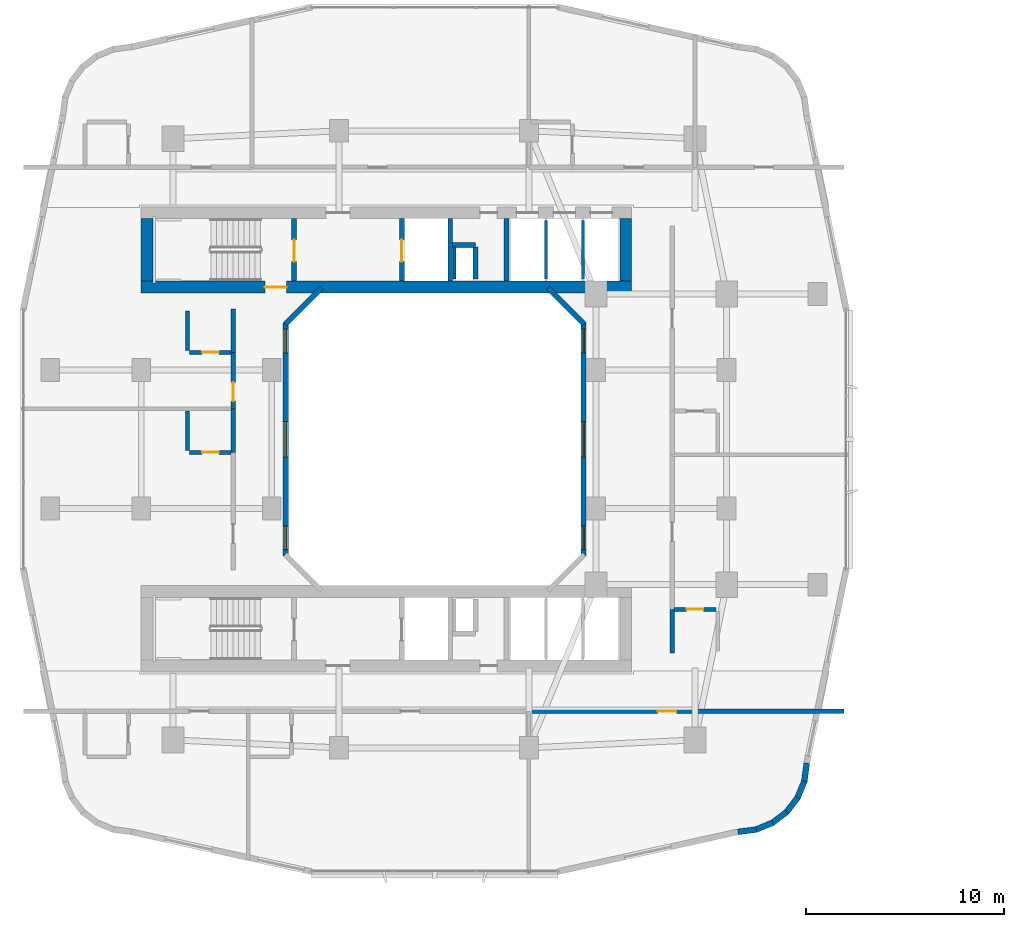
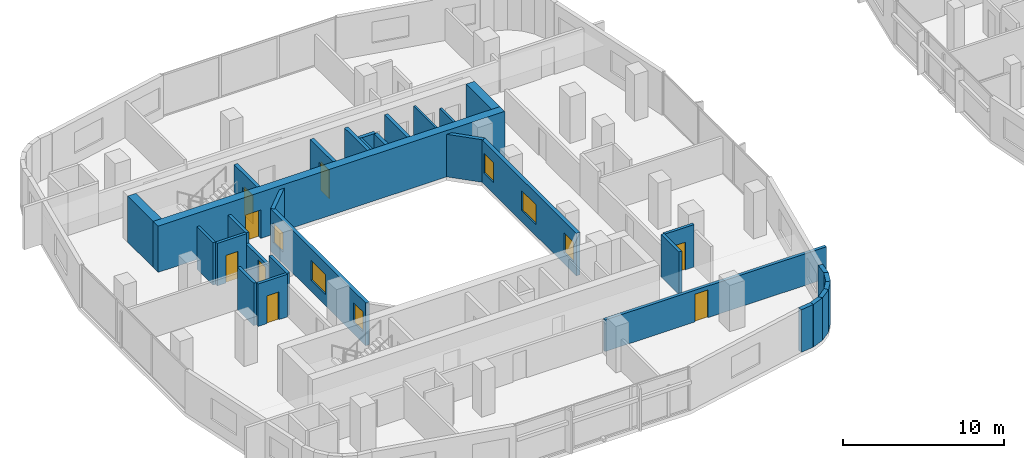
# One storey, part 14 of 26: 32 walls, 8 doors, 6 windows, 14 openings.
"""IFC4 building model written with IfcOpenShell, lengths in metres."""

from ifc_helpers import new_model, si_unit, derived_unit, direction, frame, frame_2d, origin, place, context, subcontext, project, spatial, rectangle, extrude, material, layer, layer_set, type_object, element, fill, save


model = new_model("IFC4")

# Units and contexts
model_context = context("Model", 3, precision=1e-05, world=origin(), true_north=direction((0.0, 1.0)))
body_context = subcontext(model_context, "Body", "Model", "MODEL_VIEW")
ifc_project = project(units=[si_unit("LENGTHUNIT", "METRE"), si_unit("AREAUNIT", "SQUARE_METRE"), si_unit("VOLUMEUNIT", "CUBIC_METRE"), si_unit("PLANEANGLEUNIT", "RADIAN"), si_unit("MASSUNIT", "GRAM", prefix="KILO"), derived_unit("THERMALTRANSMITTANCEUNIT", [(si_unit("POWERUNIT", "WATT"), 1), (si_unit("LENGTHUNIT", "METRE"), -2), (si_unit("THERMODYNAMICTEMPERATUREUNIT", "KELVIN"), -1)])], contexts=[model_context])

# Site, building, storey
site_placement = place(None, origin())
site = spatial("IfcSite", under=ifc_project, at=site_placement, CompositionType="ELEMENT")
building_placement = place(site_placement, origin())
building = spatial("IfcBuilding", under=site, at=building_placement, Name="Kivonza Crest Hotel", CompositionType="ELEMENT")
storey_placement = place(building_placement, frame((0.0, 0.0, 45.0)))
storey = spatial("IfcBuildingStorey", under=building, at=storey_placement, Name="L11", CompositionType="ELEMENT", Elevation=45.0)

# Wall, opening, door
ifc_material_1 = material(Name="Autoclaved aerated concrete blockwork", Category="masonry")
ifc_layer_1 = layer(ifc_material_1, 0.219970703125)
ifc_layer_set_1 = layer_set([ifc_layer_1], Name="Autoclaved aerated concrete blockwork")
wall_type_1 = type_object("IfcWallType", Name="WL-ACOU-220", PredefinedType="SOLIDWALL", material=ifc_layer_set_1)
wall_1_placement = place(storey_placement, frame((25.89990234375, 11.25, 0.0), z_axis=(0.0, 0.0, 1.0), x_axis=(1.0, 0.0, 0.0)))
wall_1 = element("IfcWall", 1, at=wall_1_placement, inside=storey, type_object=wall_type_1, Name="L11 interior partition WA-L11-BUS-MTG-N", PredefinedType="SOLIDWALL", context=body_context, shape_type="SweptSolid", body=[
    extrude(rectangle(XDim=15.840087890625, YDim=0.219970703125, at=frame_2d((7.919921875, 0.0))), origin(), (0.0, 0.0, 1.0), 2.39501953125),
])
opening_1_placement = place(wall_1_placement, frame((6.410888671875, 0.0, 0.0)))
opening_1 = element("IfcOpeningElement", 2, at=opening_1_placement, cuts=wall_1, Name="Opening DF-60S", PredefinedType="OPENING", context=body_context, shape_type="SweptSolid", body=[
    extrude(rectangle(XDim=0.949951171875, YDim=2.10009765625, at=frame_2d((0.47509765625, 1.050048828125))), frame((0.0, 0.1201171875, 0.0), z_axis=(0.0, -1.0, 0.0), x_axis=(1.0, 0.0, 0.0)), (0.0, 0.0, 1.0), 0.239990234375),
])
ifc_material_2 = material(Name="Hardwood timber oak", Category="wood")
door_type_1 = type_object("IfcDoorType", Name="DR-FD60-950", OperationType="NOTDEFINED", PredefinedType="DOOR", material=ifc_material_2)
door_1_placement = place(opening_1_placement, frame((0.949951171875, 0.0, 0.0), z_axis=(0.0, 0.0, 1.0), x_axis=(-1.0, 0.0, 0.0)))
door_1 = element("IfcDoor", 3, at=door_1_placement, inside=storey, type_object=door_type_1, Name="L11 Residents Reading Room door", OperationType="SINGLE_SWING_RIGHT", OverallHeight=2.10009765625, OverallWidth=0.949951171875, PredefinedType="DOOR", context=body_context, shape_type="SweptSolid", body=[
    extrude(rectangle(XDim=0.949951171875, YDim=2.10009765625, at=frame_2d((0.47509765625, 1.050048828125))), frame((0.0, 0.02490234375, 0.0), z_axis=(0.0, -1.0, 0.0), x_axis=(1.0, 0.0, 0.0)), (0.0, 0.0, 1.0), 0.050048828125),
])
fill(opening_1, door_1)

# Walls
wall_2_placement = place(storey_placement, frame((10.85009765625, 24.340087890625, 0.0), z_axis=(0.0, 0.0, 1.0), x_axis=(0.0, 1.0, 0.0)))
element("IfcWall", 4, at=wall_2_placement, inside=storey, type_object=wall_type_1, Name="L11 interior partition WA-L11-W05-BCORR", PredefinedType="SOLIDWALL", context=body_context, shape_type="SweptSolid", body=[
    extrude(rectangle(XDim=2.199951171875, YDim=0.219970703125, at=frame_2d((1.10009765625, 0.0))), origin(), (0.0, 0.0, 1.0), 3.219970703125),
])
wall_3_placement = place(storey_placement, frame((10.85009765625, 29.39990234375, 0.0), z_axis=(0.0, 0.0, 1.0), x_axis=(0.0, 1.0, 0.0)))
element("IfcWall", 5, at=wall_3_placement, inside=storey, type_object=wall_type_1, Name="L11 interior partition WA-L11-W06-BCORR", PredefinedType="SOLIDWALL", context=body_context, shape_type="SweptSolid", body=[
    extrude(rectangle(XDim=2.2001953125, YDim=0.219970703125, at=frame_2d((1.10009765625, 0.0))), origin(), (0.0, 0.0, 1.0), 3.219970703125),
])

# Wall, opening, door
wall_4_placement = place(storey_placement, frame((10.85009765625, 26.5400390625, 0.0), z_axis=(0.0, 0.0, 1.0), x_axis=(0.0, 1.0, 0.0)))
wall_4 = element("IfcWall", 6, at=wall_4_placement, inside=storey, type_object=wall_type_1, Name="L11 interior partition WA-L11-W06-MCORR", PredefinedType="SOLIDWALL", context=body_context, shape_type="SweptSolid", body=[
    extrude(rectangle(XDim=2.85986328125, YDim=0.219970703125, at=frame_2d((1.429931640625, 0.0))), origin(), (0.0, 0.0, 1.0), 2.39501953125),
])
opening_2_placement = place(wall_4_placement, frame((0.39501953125, 0.0, 0.0)))
opening_2 = element("IfcOpeningElement", 7, at=opening_2_placement, cuts=wall_4, Name="Opening DU-60", PredefinedType="OPENING", context=body_context, shape_type="SweptSolid", body=[
    extrude(rectangle(XDim=0.949951171875, YDim=2.10009765625, at=frame_2d((0.47509765625, 1.050048828125))), frame((0.0, 0.1201171875, 0.0), z_axis=(0.0, -1.0, 0.0), x_axis=(1.0, 0.0, 0.0)), (0.0, 0.0, 1.0), 0.239990234375),
])
door_type_2 = type_object("IfcDoorType", Name="DR-UNIT-950", OperationType="NOTDEFINED", PredefinedType="DOOR", material=ifc_material_2)
door_2_placement = place(opening_2_placement, origin())
door_2 = element("IfcDoor", 8, at=door_2_placement, inside=storey, type_object=door_type_2, Name="L11 W06 guest unit entrance fire door", OperationType="SINGLE_SWING_RIGHT", OverallHeight=2.10009765625, OverallWidth=0.949951171875, PredefinedType="DOOR", context=body_context, shape_type="SweptSolid", body=[
    extrude(rectangle(XDim=0.949951171875, YDim=2.10009765625, at=frame_2d((0.47509765625, 1.050048828125))), frame((0.0, 0.02490234375, 0.0), z_axis=(0.0, -1.0, 0.0), x_axis=(1.0, 0.0, 0.0)), (0.0, 0.0, 1.0), 0.050048828125),
])
fill(opening_2, door_2)

# Wall
wall_5_placement = place(storey_placement, frame((33.050048828125, 14.199951171875, 0.0), z_axis=(0.0, 0.0, 1.0), x_axis=(0.0, 1.0, 0.0)))
element("IfcWall", 9, at=wall_5_placement, inside=storey, type_object=wall_type_1, Name="L11 interior partition WA-L11-E07-BCORR", PredefinedType="SOLIDWALL", context=body_context, shape_type="SweptSolid", body=[
    extrude(rectangle(XDim=2.199951171875, YDim=0.219970703125, at=frame_2d((1.10009765625, 0.0))), origin(), (0.0, 0.0, 1.0), 3.219970703125),
])

# Wall, opening, door
ifc_material_3 = material(Name="Concrete C60/75", Category="concrete")
ifc_layer_2 = layer(ifc_material_3, 0.60009765625)
ifc_layer_set_2 = layer_set([ifc_layer_2], Name="Concrete C60/75")
wall_type_2 = type_object("IfcWallType", Name="WL-CORE-600", PredefinedType="SHEAR", material=ifc_layer_set_2)
wall_6_placement = place(storey_placement, frame((6.199951171875, 32.699951171875, 0.0), z_axis=(0.0, 0.0, 1.0), x_axis=(1.0, 0.0, 0.0)))
wall_6 = element("IfcWall", 10, at=wall_6_placement, inside=storey, type_object=wall_type_2, Name="Core wall T1-N South L11", PredefinedType="SHEAR", context=body_context, shape_type="SweptSolid", body=[
    extrude(rectangle(XDim=24.800048828125, YDim=0.60009765625, at=frame_2d((12.39990234375, 0.0))), origin(), (0.0, 0.0, 1.0), 3.5),
])
opening_3_placement = place(wall_6_placement, frame((6.25, 0.0, 0.0)))
opening_3 = element("IfcOpeningElement", 11, at=opening_3_placement, cuts=wall_6, Name="Opening DF-120", PredefinedType="OPENING", context=body_context, shape_type="SweptSolid", body=[
    extrude(rectangle(XDim=1.10009765625, YDim=2.14990234375, at=frame_2d((0.550048828125, 1.074951171875))), frame((0.0, 0.31005859375, 0.0), z_axis=(0.0, -1.0, 0.0), x_axis=(1.0, 0.0, 0.0)), (0.0, 0.0, 1.0), 0.6201171875),
])
ifc_material_4 = material(Name="Galvanised steel", Category="steel")
door_type_3 = type_object("IfcDoorType", Name="DR-FD120-1100", OperationType="NOTDEFINED", PredefinedType="DOOR", material=ifc_material_4)
door_3_placement = place(opening_3_placement, origin())
door_3 = element("IfcDoor", 12, at=door_3_placement, inside=storey, type_object=door_type_3, Name="L11 West corridor stair access fire door", OperationType="SINGLE_SWING_LEFT", OverallHeight=2.14990234375, OverallWidth=1.10009765625, PredefinedType="DOOR", context=body_context, shape_type="SweptSolid", body=[
    extrude(rectangle(XDim=1.10009765625, YDim=2.14990234375, at=frame_2d((0.550048828125, 1.074951171875))), frame((0.0, 0.02490234375, 0.0), z_axis=(0.0, -1.0, 0.0), x_axis=(1.0, 0.0, 0.0)), (0.0, 0.0, 1.0), 0.050048828125),
])
fill(opening_3, door_3)

# Walls
for number, where, z_axis, x_axis, name in (
    (13, (6.5, 33.0, 0.0), (0.0, 0.0, 1.0), (0.0, 1.0, 0.0), "Core wall T1-N West L11"),
    (14, (30.699951171875, 33.0, 0.0), (0.0, 0.0, 1.0), (0.0, 1.0, 0.0), "Core wall T1-N East L11"),
):
    element("IfcWall", number, at=place(storey_placement, frame(where, z_axis=z_axis, x_axis=x_axis)), inside=storey, type_object=wall_type_2, Name=name, PredefinedType="SHEAR", context=body_context, shape_type="SweptSolid", body=[
        extrude(rectangle(XDim=3.159912109375, YDim=0.60009765625, at=frame_2d((1.580078125, 0.0))), origin(), (0.0, 0.0, 1.0), 3.5),
    ])

# Wall, openings, windows
ifc_material_5 = material(Name="Precast concrete C40/50", Category="concrete")
ifc_layer_3 = layer(ifc_material_5, 0.260009765625)
ifc_layer_set_3 = layer_set([ifc_layer_3], Name="Precast concrete C40/50")
wall_type_3 = type_object("IfcWallType", Name="WL-EXT-260", PredefinedType="STANDARD", material=ifc_layer_set_3)
wall_7_placement = place(storey_placement, frame((28.570068359375, 19.110107421875, 0.0), z_axis=(0.0, 0.0, 1.0), x_axis=(0.0, 1.0, 0.0)))
wall_7 = element("IfcWall", 15, at=wall_7_placement, inside=storey, type_object=wall_type_3, Name="L11 T1 light-well exterior wall 3", PredefinedType="STANDARD", context=body_context, shape_type="SweptSolid", body=[
    extrude(rectangle(XDim=11.77978515625, YDim=0.260009765625, at=frame_2d((5.889892578125, 0.0))), origin(), (0.0, 0.0, 1.0), 3.219970703125),
])
opening_4_placement = place(wall_7_placement, frame((0.318115234375, 0.0, 0.85009765625)))
opening_4 = element("IfcOpeningElement", 16, at=opening_4_placement, cuts=wall_7, Name="Opening WN-01", PredefinedType="OPENING", context=body_context, shape_type="SweptSolid", body=[
    extrude(rectangle(XDim=1.199951171875, YDim=1.5, at=frame_2d((0.60009765625, 0.75))), frame((0.0, 0.14013671875, 0.0), z_axis=(0.0, -1.0, 0.0), x_axis=(1.0, 0.0, 0.0)), (0.0, 0.0, 1.0), 0.280029296875),
])
opening_5_placement = place(wall_7_placement, frame((4.989990234375, 0.0, 0.85009765625)))
opening_5 = element("IfcOpeningElement", 17, at=opening_5_placement, cuts=wall_7, Name="Opening WN-03", PredefinedType="OPENING", context=body_context, shape_type="SweptSolid", body=[
    extrude(rectangle(XDim=1.800048828125, YDim=1.5, at=frame_2d((0.89990234375, 0.75))), frame((0.0, 0.14013671875, 0.0), z_axis=(0.0, -1.0, 0.0), x_axis=(1.0, 0.0, 0.0)), (0.0, 0.0, 1.0), 0.280029296875),
])
opening_6_placement = place(wall_7_placement, frame((10.262939453125, 0.0, 0.85009765625)))
opening_6 = element("IfcOpeningElement", 18, at=opening_6_placement, cuts=wall_7, Name="Opening WN-01", PredefinedType="OPENING", context=body_context, shape_type="SweptSolid", body=[
    extrude(rectangle(XDim=1.199951171875, YDim=1.5, at=frame_2d((0.60009765625, 0.75))), frame((0.0, 0.14013671875, 0.0), z_axis=(0.0, -1.0, 0.0), x_axis=(1.0, 0.0, 0.0)), (0.0, 0.0, 1.0), 0.280029296875),
])
ifc_material_6 = material(Name="Thermally broken bronze aluminium and low-E double glazing", Category="aluminium")
window_type_1 = type_object("IfcWindowType", Name="WN-120x150", PartitioningType="SINGLE_PANEL", PredefinedType="WINDOW", material=ifc_material_6)
window_1_placement = place(opening_4_placement, origin())
window_1 = element("IfcWindow", 19, at=window_1_placement, inside=storey, type_object=window_type_1, Name="L11 T1 light-well window 3 bay 1", OverallHeight=1.5, OverallWidth=1.199951171875, PartitioningType="SINGLE_PANEL", PredefinedType="WINDOW", context=body_context, shape_type="SweptSolid", body=[
    extrude(rectangle(XDim=1.199951171875, YDim=1.5, at=frame_2d((0.60009765625, 0.75))), frame((0.0, 0.030029296875, 0.0), z_axis=(0.0, -1.0, 0.0), x_axis=(1.0, 0.0, 0.0)), (0.0, 0.0, 1.0), 0.06005859375),
])
fill(opening_4, window_1)
window_2_placement = place(opening_6_placement, origin())
window_2 = element("IfcWindow", 20, at=window_2_placement, inside=storey, type_object=window_type_1, Name="L11 T1 light-well window 3 bay 3", OverallHeight=1.5, OverallWidth=1.199951171875, PartitioningType="SINGLE_PANEL", PredefinedType="WINDOW", context=body_context, shape_type="SweptSolid", body=[
    extrude(rectangle(XDim=1.199951171875, YDim=1.5, at=frame_2d((0.60009765625, 0.75))), frame((0.0, 0.030029296875, 0.0), z_axis=(0.0, -1.0, 0.0), x_axis=(1.0, 0.0, 0.0)), (0.0, 0.0, 1.0), 0.06005859375),
])
fill(opening_6, window_2)
window_type_2 = type_object("IfcWindowType", Name="WN-180x150", PartitioningType="DOUBLE_PANEL_VERTICAL", PredefinedType="WINDOW", material=ifc_material_6)
window_3_placement = place(opening_5_placement, origin())
window_3 = element("IfcWindow", 21, at=window_3_placement, inside=storey, type_object=window_type_2, Name="L11 T1 light-well window 3 bay 2", OverallHeight=1.5, OverallWidth=1.800048828125, PartitioningType="SINGLE_PANEL", PredefinedType="WINDOW", context=body_context, shape_type="SweptSolid", body=[
    extrude(rectangle(XDim=1.800048828125, YDim=1.5, at=frame_2d((0.89990234375, 0.75))), frame((0.0, 0.030029296875, 0.0), z_axis=(0.0, -1.0, 0.0), x_axis=(1.0, 0.0, 0.0)), (0.0, 0.0, 1.0), 0.06005859375),
])
fill(opening_5, window_3)

# Walls
wall_8_placement = place(storey_placement, frame((28.595947265625, 30.827880859375, 0.0), z_axis=(0.0, 0.0, 1.0), x_axis=(-0.707059717605, 0.707153841636, 0.0)))
element("IfcWall", 22, at=wall_8_placement, inside=storey, type_object=wall_type_3, Name="L11 T1 light-well exterior wall 4", PredefinedType="STANDARD", context=body_context, shape_type="SweptSolid", body=[
    extrude(rectangle(XDim=2.59375, YDim=0.260009765625, at=frame_2d((1.296875, 0.0))), origin(), (0.0, 0.0, 1.0), 3.219970703125),
])
wall_9_placement = place(storey_placement, frame((15.318115234375, 32.662109375, 0.0), z_axis=(0.0, 0.0, 1.0), x_axis=(-0.707106781187, -0.707106781187, 0.0)))
element("IfcWall", 23, at=wall_9_placement, inside=storey, type_object=wall_type_3, Name="L11 T1 light-well exterior wall 6", PredefinedType="STANDARD", context=body_context, shape_type="SweptSolid", body=[
    extrude(rectangle(XDim=2.593994140625, YDim=0.260009765625, at=frame_2d((1.296875, 0.0))), origin(), (0.0, 0.0, 1.0), 3.219970703125),
])

# Wall, openings, windows
wall_10_placement = place(storey_placement, frame((13.510009765625, 30.889892578125, 0.0), z_axis=(0.0, 0.0, 1.0), x_axis=(0.0, -1.0, 0.0)))
wall_10 = element("IfcWall", 24, at=wall_10_placement, inside=storey, type_object=wall_type_3, Name="L11 T1 light-well exterior wall 7", PredefinedType="STANDARD", context=body_context, shape_type="SweptSolid", body=[
    extrude(rectangle(XDim=11.77978515625, YDim=0.260009765625, at=frame_2d((5.889892578125, 0.0))), origin(), (0.0, 0.0, 1.0), 3.219970703125),
])
opening_7_placement = place(wall_10_placement, frame((0.318115234375, 0.0, 0.85009765625)))
opening_7 = element("IfcOpeningElement", 25, at=opening_7_placement, cuts=wall_10, Name="Opening WN-01", PredefinedType="OPENING", context=body_context, shape_type="SweptSolid", body=[
    extrude(rectangle(XDim=1.199951171875, YDim=1.5, at=frame_2d((0.60009765625, 0.75))), frame((0.0, 0.14013671875, 0.0), z_axis=(0.0, -1.0, 0.0), x_axis=(1.0, 0.0, 0.0)), (0.0, 0.0, 1.0), 0.280029296875),
])
opening_8_placement = place(wall_10_placement, frame((4.989990234375, 0.0, 0.85009765625)))
opening_8 = element("IfcOpeningElement", 26, at=opening_8_placement, cuts=wall_10, Name="Opening WN-03", PredefinedType="OPENING", context=body_context, shape_type="SweptSolid", body=[
    extrude(rectangle(XDim=1.800048828125, YDim=1.5, at=frame_2d((0.89990234375, 0.75))), frame((0.0, 0.14013671875, 0.0), z_axis=(0.0, -1.0, 0.0), x_axis=(1.0, 0.0, 0.0)), (0.0, 0.0, 1.0), 0.280029296875),
])
opening_9_placement = place(wall_10_placement, frame((10.262939453125, 0.0, 0.85009765625)))
opening_9 = element("IfcOpeningElement", 27, at=opening_9_placement, cuts=wall_10, Name="Opening WN-01", PredefinedType="OPENING", context=body_context, shape_type="SweptSolid", body=[
    extrude(rectangle(XDim=1.199951171875, YDim=1.5, at=frame_2d((0.60009765625, 0.75))), frame((0.0, 0.14013671875, 0.0), z_axis=(0.0, -1.0, 0.0), x_axis=(1.0, 0.0, 0.0)), (0.0, 0.0, 1.0), 0.280029296875),
])
window_4_placement = place(opening_7_placement, origin())
window_4 = element("IfcWindow", 28, at=window_4_placement, inside=storey, type_object=window_type_1, Name="L11 T1 light-well window 7 bay 1", OverallHeight=1.5, OverallWidth=1.199951171875, PartitioningType="SINGLE_PANEL", PredefinedType="WINDOW", context=body_context, shape_type="SweptSolid", body=[
    extrude(rectangle(XDim=1.199951171875, YDim=1.5, at=frame_2d((0.60009765625, 0.75))), frame((0.0, 0.030029296875, 0.0), z_axis=(0.0, -1.0, 0.0), x_axis=(1.0, 0.0, 0.0)), (0.0, 0.0, 1.0), 0.06005859375),
])
fill(opening_7, window_4)
window_5_placement = place(opening_9_placement, origin())
window_5 = element("IfcWindow", 29, at=window_5_placement, inside=storey, type_object=window_type_1, Name="L11 T1 light-well window 7 bay 3", OverallHeight=1.5, OverallWidth=1.199951171875, PartitioningType="SINGLE_PANEL", PredefinedType="WINDOW", context=body_context, shape_type="SweptSolid", body=[
    extrude(rectangle(XDim=1.199951171875, YDim=1.5, at=frame_2d((0.60009765625, 0.75))), frame((0.0, 0.030029296875, 0.0), z_axis=(0.0, -1.0, 0.0), x_axis=(1.0, 0.0, 0.0)), (0.0, 0.0, 1.0), 0.06005859375),
])
fill(opening_9, window_5)
window_6_placement = place(opening_8_placement, origin())
window_6 = element("IfcWindow", 30, at=window_6_placement, inside=storey, type_object=window_type_2, Name="L11 T1 light-well window 7 bay 2", OverallHeight=1.5, OverallWidth=1.800048828125, PartitioningType="SINGLE_PANEL", PredefinedType="WINDOW", context=body_context, shape_type="SweptSolid", body=[
    extrude(rectangle(XDim=1.800048828125, YDim=1.5, at=frame_2d((0.89990234375, 0.75))), frame((0.0, 0.030029296875, 0.0), z_axis=(0.0, -1.0, 0.0), x_axis=(1.0, 0.0, 0.0)), (0.0, 0.0, 1.0), 0.06005859375),
])
fill(opening_8, window_6)

# Walls
ifc_layer_4 = layer(ifc_material_5, 0.300048828125)
ifc_layer_set_4 = layer_set([ifc_layer_4], Name="Precast concrete C40/50")
wall_type_4 = type_object("IfcWallType", Name="WL-EXT-300", PredefinedType="STANDARD", material=ifc_layer_set_4)
wall_11_placement = place(storey_placement, frame((36.3720703125, 5.14794921875, 0.0), z_axis=(0.0, 0.0, 1.0), x_axis=(0.991359246108, 0.131174864804, 0.0)))
element("IfcWall", 31, at=wall_11_placement, inside=storey, type_object=wall_type_4, Name="L11 T1 exterior insulated wall 10", PredefinedType="STANDARD", context=body_context, shape_type="SweptSolid", body=[
    extrude(rectangle(XDim=0.93798828125, YDim=0.300048828125, at=frame_2d((0.468994140625, 0.0))), origin(), (0.0, 0.0, 1.0), 3.219970703125),
])
wall_12_placement = place(storey_placement, frame((37.251953125, 5.251953125, 0.0), z_axis=(0.0, 0.0, 1.0), x_axis=(0.924019948111, 0.382344263057, 0.0)))
element("IfcWall", 32, at=wall_12_placement, inside=storey, type_object=wall_type_4, Name="L11 T1 exterior insulated wall 11", PredefinedType="STANDARD", context=body_context, shape_type="SweptSolid", body=[
    extrude(rectangle(XDim=0.95458984375, YDim=0.300048828125, at=frame_2d((0.477294921875, 0.0))), origin(), (0.0, 0.0, 1.0), 3.219970703125),
])
wall_13_placement = place(storey_placement, frame((38.089111328125, 5.5859375, 0.0), z_axis=(0.0, 0.0, 1.0), x_axis=(0.793573440799, 0.608474481025, 0.0)))
element("IfcWall", 33, at=wall_13_placement, inside=storey, type_object=wall_type_4, Name="L11 T1 exterior insulated wall 12", PredefinedType="STANDARD", context=body_context, shape_type="SweptSolid", body=[
    extrude(rectangle(XDim=0.954833984375, YDim=0.300048828125, at=frame_2d((0.4775390625, 0.0))), origin(), (0.0, 0.0, 1.0), 3.219970703125),
])
wall_14_placement = place(storey_placement, frame((38.81201171875, 6.125, 0.0), z_axis=(0.0, 0.0, 1.0), x_axis=(0.608351047625, 0.793668068435, 0.0)))
element("IfcWall", 34, at=wall_14_placement, inside=storey, type_object=wall_type_4, Name="L11 T1 exterior insulated wall 13", PredefinedType="STANDARD", context=body_context, shape_type="SweptSolid", body=[
    extrude(rectangle(XDim=0.955078125, YDim=0.300048828125, at=frame_2d((0.4775390625, 0.0))), origin(), (0.0, 0.0, 1.0), 3.219970703125),
])
wall_15_placement = place(storey_placement, frame((39.368896484375, 6.833984375, 0.0), z_axis=(0.0, 0.0, 1.0), x_axis=(0.382344263057, 0.924019948111, 0.0)))
element("IfcWall", 35, at=wall_15_placement, inside=storey, type_object=wall_type_4, Name="L11 T1 exterior insulated wall 14", PredefinedType="STANDARD", context=body_context, shape_type="SweptSolid", body=[
    extrude(rectangle(XDim=0.95458984375, YDim=0.300048828125, at=frame_2d((0.477294921875, 0.0))), origin(), (0.0, 0.0, 1.0), 3.219970703125),
])
wall_16_placement = place(storey_placement, frame((39.72509765625, 7.6630859375, 0.0), z_axis=(0.0, 0.0, 1.0), x_axis=(0.130454512571, 0.991454295543, 0.0)))
element("IfcWall", 36, at=wall_16_placement, inside=storey, type_object=wall_type_4, Name="L11 T1 exterior insulated wall 15", PredefinedType="STANDARD", context=body_context, shape_type="SweptSolid", body=[
    extrude(rectangle(XDim=0.97314453125, YDim=0.300048828125, at=frame_2d((0.486572265625, 0.0))), origin(), (0.0, 0.0, 1.0), 3.219970703125),
])
ifc_material_7 = material(Name="Concrete blockwork fire-compartment wall", Category="masonry")
ifc_layer_5 = layer(ifc_material_7, 0.25)
ifc_layer_set_5 = layer_set([ifc_layer_5], Name="Concrete blockwork fire-compartment wall")
wall_type_5 = type_object("IfcWallType", Name="WL-FIRE-250", PredefinedType="SOLIDWALL", material=ifc_layer_set_5)
wall_17_placement = place(storey_placement, frame((23.10009765625, 33.10009765625, 0.0), z_axis=(0.0, 0.0, 1.0), x_axis=(0.0, 1.0, 0.0)))
element("IfcWall", 37, at=wall_17_placement, inside=storey, type_object=wall_type_5, Name="L11 interior partition WA-L11-T1-N-MEPR-E", PredefinedType="SOLIDWALL", context=body_context, shape_type="SweptSolid", body=[
    extrude(rectangle(XDim=1.619873046875, YDim=0.25, at=frame_2d((0.81005859375, 0.0))), origin(), (0.0, 0.0, 1.0), 3.219970703125),
])
wall_18_placement = place(storey_placement, frame((21.949951171875, 34.820068359375, 0.0), z_axis=(0.0, 0.0, 1.0), x_axis=(1.0, 0.0, 0.0)))
element("IfcWall", 38, at=wall_18_placement, inside=storey, type_object=wall_type_5, Name="L11 interior partition WA-L11-T1-N-MEPR-H", PredefinedType="SOLIDWALL", context=body_context, shape_type="SweptSolid", body=[
    extrude(rectangle(XDim=1.150146484375, YDim=0.25, at=frame_2d((0.5751953125, 0.0))), origin(), (0.0, 0.0, 1.0), 3.219970703125),
])
ifc_material_8 = material(Name="Twin-stud acoustic gypsum board partition", Category="gypsum")
ifc_layer_6 = layer(ifc_material_8, 0.14990234375)
ifc_layer_set_6 = layer_set([ifc_layer_6], Name="Twin-stud acoustic gypsum board partition")
wall_type_6 = type_object("IfcWallType", Name="WL-PART-150", PredefinedType="PARTITIONING", material=ifc_layer_set_6)
wall_19_placement = place(storey_placement, frame((22.030029296875, 33.10009765625, 0.0), z_axis=(0.0, 0.0, 1.0), x_axis=(0.0, 1.0, 0.0)))
element("IfcWall", 39, at=wall_19_placement, inside=storey, type_object=wall_type_6, Name="L11 interior partition WA-L11-T1-N-MEPR-W", PredefinedType="PARTITIONING", context=body_context, shape_type="SweptSolid", body=[
    extrude(rectangle(XDim=1.619873046875, YDim=0.14990234375, at=frame_2d((0.81005859375, 0.0))), origin(), (0.0, 0.0, 1.0), 3.219970703125),
])
wall_20_placement = place(storey_placement, frame((26.6669921875, 33.10009765625, 0.0), z_axis=(0.0, 0.0, 1.0), x_axis=(0.0, 1.0, 0.0)))
element("IfcWall", 40, at=wall_20_placement, inside=storey, type_object=wall_type_6, Name="L11 interior partition WP-L11-T1-N-BSH-1", PredefinedType="PARTITIONING", context=body_context, shape_type="SweptSolid", body=[
    extrude(rectangle(XDim=2.9599609375, YDim=0.14990234375, at=frame_2d((1.47998046875, 0.0))), origin(), (0.0, 0.0, 1.0), 3.219970703125),
])
wall_21_placement = place(storey_placement, frame((28.532958984375, 33.10009765625, 0.0), z_axis=(0.0, 0.0, 1.0), x_axis=(0.0, 1.0, 0.0)))
element("IfcWall", 41, at=wall_21_placement, inside=storey, type_object=wall_type_6, Name="L11 interior partition WP-L11-T1-N-BSH-2", PredefinedType="PARTITIONING", context=body_context, shape_type="SweptSolid", body=[
    extrude(rectangle(XDim=2.9599609375, YDim=0.14990234375, at=frame_2d((1.47998046875, 0.0))), origin(), (0.0, 0.0, 1.0), 2.39501953125),
])

# Wall, opening, door
ifc_material_9 = material(Name="Moisture-resistant plumbing chase partition wall", Category="gypsum")
ifc_layer_7 = layer(ifc_material_9, 0.199951171875)
ifc_layer_set_7 = layer_set([ifc_layer_7], Name="Moisture-resistant plumbing chase partition wall")
wall_type_7 = type_object("IfcWallType", Name="WL-PLUMB-200", PredefinedType="PLUMBINGWALL", material=ifc_layer_set_7)
wall_22_placement = place(storey_placement, frame((8.64990234375, 24.340087890625, 0.0), z_axis=(0.0, 0.0, 1.0), x_axis=(1.0, 0.0, 0.0)))
wall_22 = element("IfcWall", 42, at=wall_22_placement, inside=storey, type_object=wall_type_7, Name="L11 interior partition WW-L11-W05-BH", PredefinedType="PLUMBINGWALL", context=body_context, shape_type="SweptSolid", body=[
    extrude(rectangle(XDim=2.10009765625, YDim=0.199951171875, at=frame_2d((1.050048828125, 0.0))), origin(), (0.0, 0.0, 1.0), 3.219970703125),
])
opening_10_placement = place(wall_22_placement, frame((0.625, 0.0, 0.0)))
opening_10 = element("IfcOpeningElement", 43, at=opening_10_placement, cuts=wall_22, Name="Opening DI-85", PredefinedType="OPENING", context=body_context, shape_type="SweptSolid", body=[
    extrude(rectangle(XDim=0.85009765625, YDim=2.10009765625, at=frame_2d((0.425048828125, 1.050048828125))), frame((0.0, 0.10986328125, 0.0), z_axis=(0.0, -1.0, 0.0), x_axis=(1.0, 0.0, 0.0)), (0.0, 0.0, 1.0), 0.219970703125),
])
door_type_4 = type_object("IfcDoorType", Name="DR-INT-850", OperationType="NOTDEFINED", PredefinedType="DOOR", material=ifc_material_2)
door_4_placement = place(opening_10_placement, frame((0.85009765625, 0.0, 0.0), z_axis=(0.0, 0.0, 1.0), x_axis=(-1.0, 0.0, 0.0)))
door_4 = element("IfcDoor", 44, at=door_4_placement, inside=storey, type_object=door_type_4, Name="L11 W05 en-suite bathroom door", OperationType="SINGLE_SWING_RIGHT", OverallHeight=2.10009765625, OverallWidth=0.85009765625, PredefinedType="DOOR", context=body_context, shape_type="SweptSolid", body=[
    extrude(rectangle(XDim=0.85009765625, YDim=2.10009765625, at=frame_2d((0.425048828125, 1.050048828125))), frame((0.0, 0.02490234375, 0.0), z_axis=(0.0, -1.0, 0.0), x_axis=(1.0, 0.0, 0.0)), (0.0, 0.0, 1.0), 0.050048828125),
])
fill(opening_10, door_4)

# Wall
wall_23_placement = place(storey_placement, frame((8.550048828125, 24.43994140625, 0.0), z_axis=(0.0, 0.0, 1.0), x_axis=(0.0, 1.0, 0.0)))
element("IfcWall", 45, at=wall_23_placement, inside=storey, type_object=wall_type_7, Name="L11 interior partition WW-L11-W05-BV", PredefinedType="PLUMBINGWALL", context=body_context, shape_type="SweptSolid", body=[
    extrude(rectangle(XDim=2.0, YDim=0.199951171875, at=frame_2d((1.0, 0.0))), origin(), (0.0, 0.0, 1.0), 3.219970703125),
])

# Wall, opening, door
wall_24_placement = place(storey_placement, frame((8.64990234375, 29.39990234375, 0.0), z_axis=(0.0, 0.0, 1.0), x_axis=(1.0, 0.0, 0.0)))
wall_24 = element("IfcWall", 46, at=wall_24_placement, inside=storey, type_object=wall_type_7, Name="L11 interior partition WW-L11-W06-BH", PredefinedType="PLUMBINGWALL", context=body_context, shape_type="SweptSolid", body=[
    extrude(rectangle(XDim=2.10009765625, YDim=0.199951171875, at=frame_2d((1.050048828125, 0.0))), origin(), (0.0, 0.0, 1.0), 3.219970703125),
])
opening_11_placement = place(wall_24_placement, frame((0.625, 0.0, 0.0)))
opening_11 = element("IfcOpeningElement", 47, at=opening_11_placement, cuts=wall_24, Name="Opening DI-85", PredefinedType="OPENING", context=body_context, shape_type="SweptSolid", body=[
    extrude(rectangle(XDim=0.85009765625, YDim=2.10009765625, at=frame_2d((0.425048828125, 1.050048828125))), frame((0.0, 0.10986328125, 0.0), z_axis=(0.0, -1.0, 0.0), x_axis=(1.0, 0.0, 0.0)), (0.0, 0.0, 1.0), 0.219970703125),
])
door_5_placement = place(opening_11_placement, frame((0.85009765625, 0.0, 0.0), z_axis=(0.0, 0.0, 1.0), x_axis=(-1.0, 0.0, 0.0)))
door_5 = element("IfcDoor", 48, at=door_5_placement, inside=storey, type_object=door_type_4, Name="L11 W06 en-suite bathroom door", OperationType="SINGLE_SWING_LEFT", OverallHeight=2.10009765625, OverallWidth=0.85009765625, PredefinedType="DOOR", context=body_context, shape_type="SweptSolid", body=[
    extrude(rectangle(XDim=0.85009765625, YDim=2.10009765625, at=frame_2d((0.425048828125, 1.050048828125))), frame((0.0, 0.02490234375, 0.0), z_axis=(0.0, -1.0, 0.0), x_axis=(1.0, 0.0, 0.0)), (0.0, 0.0, 1.0), 0.050048828125),
])
fill(opening_11, door_5)

# Wall
wall_25_placement = place(storey_placement, frame((8.550048828125, 29.5, 0.0), z_axis=(0.0, 0.0, 1.0), x_axis=(0.0, 1.0, 0.0)))
element("IfcWall", 49, at=wall_25_placement, inside=storey, type_object=wall_type_7, Name="L11 interior partition WW-L11-W06-BV", PredefinedType="PLUMBINGWALL", context=body_context, shape_type="SweptSolid", body=[
    extrude(rectangle(XDim=2.0, YDim=0.199951171875, at=frame_2d((1.0, 0.0))), origin(), (0.0, 0.0, 1.0), 3.219970703125),
])

# Wall, opening, door
wall_26_placement = place(storey_placement, frame((33.14990234375, 16.39990234375, 0.0), z_axis=(0.0, 0.0, 1.0), x_axis=(1.0, 0.0, 0.0)))
wall_26 = element("IfcWall", 50, at=wall_26_placement, inside=storey, type_object=wall_type_7, Name="L11 interior partition WW-L11-E07-BH", PredefinedType="PLUMBINGWALL", context=body_context, shape_type="SweptSolid", body=[
    extrude(rectangle(XDim=2.10009765625, YDim=0.199951171875, at=frame_2d((1.050048828125, 0.0))), origin(), (0.0, 0.0, 1.0), 3.219970703125),
])
opening_12_placement = place(wall_26_placement, frame((0.625, 0.0, 0.0)))
opening_12 = element("IfcOpeningElement", 51, at=opening_12_placement, cuts=wall_26, Name="Opening DI-85", PredefinedType="OPENING", context=body_context, shape_type="SweptSolid", body=[
    extrude(rectangle(XDim=0.85009765625, YDim=2.10009765625, at=frame_2d((0.425048828125, 1.050048828125))), frame((0.0, 0.10986328125, 0.0), z_axis=(0.0, -1.0, 0.0), x_axis=(1.0, 0.0, 0.0)), (0.0, 0.0, 1.0), 0.219970703125),
])
door_6_placement = place(opening_12_placement, origin())
door_6 = element("IfcDoor", 52, at=door_6_placement, inside=storey, type_object=door_type_4, Name="L11 E07 en-suite bathroom door", OperationType="SINGLE_SWING_RIGHT", OverallHeight=2.10009765625, OverallWidth=0.85009765625, PredefinedType="DOOR", context=body_context, shape_type="SweptSolid", body=[
    extrude(rectangle(XDim=0.85009765625, YDim=2.10009765625, at=frame_2d((0.425048828125, 1.050048828125))), frame((0.0, 0.02490234375, 0.0), z_axis=(0.0, -1.0, 0.0), x_axis=(1.0, 0.0, 0.0)), (0.0, 0.0, 1.0), 0.050048828125),
])
fill(opening_12, door_6)

ifc_material_10 = material(Name="Concrete C50/60", Category="concrete")
ifc_layer_8 = layer(ifc_material_10, 0.25)
ifc_layer_set_8 = layer_set([ifc_layer_8], Name="Concrete C50/60")
wall_type_8 = type_object("IfcWallType", Name="WL-SHAFT-250", PredefinedType="STANDARD", material=ifc_layer_set_8)
wall_27_placement = place(storey_placement, frame((13.925048828125, 33.0, 0.0), z_axis=(0.0, 0.0, 1.0), x_axis=(0.0, 1.0, 0.0)))
wall_27 = element("IfcWall", 53, at=wall_27_placement, inside=storey, type_object=wall_type_8, Name="Core shaft wall T1-N STAIR L11", PredefinedType="STANDARD", context=body_context, shape_type="SweptSolid", body=[
    extrude(rectangle(XDim=3.159912109375, YDim=0.25, at=frame_2d((1.580078125, 0.0))), origin(), (0.0, 0.0, 1.0), 3.219970703125),
])
opening_13_placement = place(wall_27_placement, frame((0.97998046875, 0.0, 0.0)))
opening_13 = element("IfcOpeningElement", 54, at=opening_13_placement, cuts=wall_27, Name="Opening DF-120", PredefinedType="OPENING", context=body_context, shape_type="SweptSolid", body=[
    extrude(rectangle(XDim=1.10009765625, YDim=2.14990234375, at=frame_2d((0.550048828125, 1.074951171875))), frame((0.0, 0.135009765625, 0.0), z_axis=(0.0, -1.0, 0.0), x_axis=(1.0, 0.0, 0.0)), (0.0, 0.0, 1.0), 0.27001953125),
])
door_7_placement = place(opening_13_placement, frame((1.10009765625, 0.0, 0.0), z_axis=(0.0, 0.0, 1.0), x_axis=(-1.0, 0.0, 0.0)))
door_7 = element("IfcDoor", 55, at=door_7_placement, inside=storey, type_object=door_type_3, Name="L11 T1-N stair fire door", OperationType="SINGLE_SWING_LEFT", OverallHeight=2.14990234375, OverallWidth=1.10009765625, PredefinedType="DOOR", context=body_context, shape_type="SweptSolid", body=[
    extrude(rectangle(XDim=1.10009765625, YDim=2.14990234375, at=frame_2d((0.550048828125, 1.074951171875))), frame((0.0, 0.02490234375, 0.0), z_axis=(0.0, -1.0, 0.0), x_axis=(1.0, 0.0, 0.0)), (0.0, 0.0, 1.0), 0.050048828125),
])
fill(opening_13, door_7)

wall_28_placement = place(storey_placement, frame((19.375, 33.0, 0.0), z_axis=(0.0, 0.0, 1.0), x_axis=(0.0, 1.0, 0.0)))
wall_28 = element("IfcWall", 56, at=wall_28_placement, inside=storey, type_object=wall_type_8, Name="Core shaft wall T1-N FFL-W L11", PredefinedType="STANDARD", context=body_context, shape_type="SweptSolid", body=[
    extrude(rectangle(XDim=3.159912109375, YDim=0.25, at=frame_2d((1.580078125, 0.0))), origin(), (0.0, 0.0, 1.0), 3.219970703125),
])
opening_14_placement = place(wall_28_placement, frame((0.97998046875, 0.0, 0.0)))
opening_14 = element("IfcOpeningElement", 57, at=opening_14_placement, cuts=wall_28, Name="Opening LD-120", PredefinedType="OPENING", context=body_context, shape_type="SweptSolid", body=[
    extrude(rectangle(XDim=1.10009765625, YDim=2.14990234375, at=frame_2d((0.550048828125, 1.074951171875))), frame((0.0, 0.135009765625, 0.0), z_axis=(0.0, -1.0, 0.0), x_axis=(1.0, 0.0, 0.0)), (0.0, 0.0, 1.0), 0.27001953125),
])
ifc_material_11 = material(Name="Stainless steel", Category="steel")
door_type_5 = type_object("IfcDoorType", Name="DR-LD120-1100", OperationType="NOTDEFINED", PredefinedType="DOOR", material=ifc_material_11)
door_8_placement = place(opening_14_placement, origin())
door_8 = element("IfcDoor", 58, at=door_8_placement, inside=storey, type_object=door_type_5, Name="L11 FFL-T1-N firefighting lift sliding landing door", OperationType="DOUBLE_DOOR_SLIDING", OverallHeight=2.14990234375, OverallWidth=1.10009765625, PredefinedType="DOOR", context=body_context, shape_type="SweptSolid", body=[
    extrude(rectangle(XDim=1.10009765625, YDim=2.14990234375, at=frame_2d((0.550048828125, 1.074951171875))), frame((0.0, 0.02490234375, 0.0), z_axis=(0.0, -1.0, 0.0), x_axis=(1.0, 0.0, 0.0)), (0.0, 0.0, 1.0), 0.050048828125),
])
fill(opening_14, door_8)

# Walls
for number, where, z_axis, x_axis, name in (
    (59, (21.824951171875, 33.0, 0.0), (0.0, 0.0, 1.0), (0.0, 1.0, 0.0), "Core shaft wall T1-N FFL-E L11"),
    (60, (24.675048828125, 33.0, 0.0), (0.0, 0.0, 1.0), (0.0, 1.0, 0.0), "Core shaft wall T1-N BANK-W L11"),
):
    element("IfcWall", number, at=place(storey_placement, frame(where, z_axis=z_axis, x_axis=x_axis)), inside=storey, type_object=wall_type_8, Name=name, PredefinedType="STANDARD", context=body_context, shape_type="SweptSolid", body=[
        extrude(rectangle(XDim=3.159912109375, YDim=0.25, at=frame_2d((1.580078125, 0.0))), origin(), (0.0, 0.0, 1.0), 3.219970703125),
    ])

save(model, "model.ifc")
